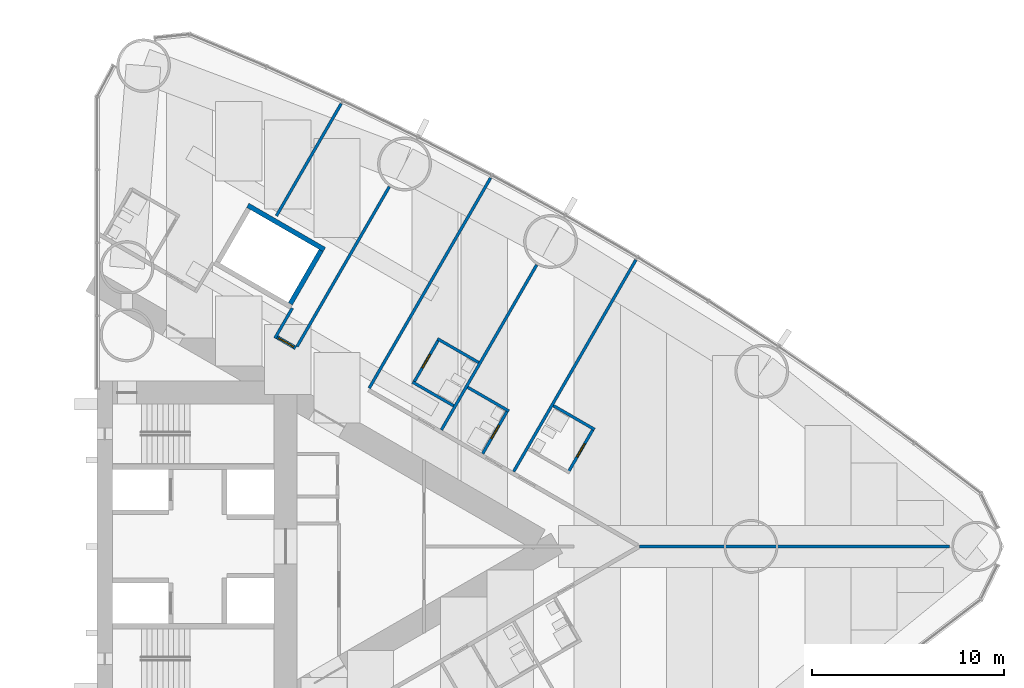
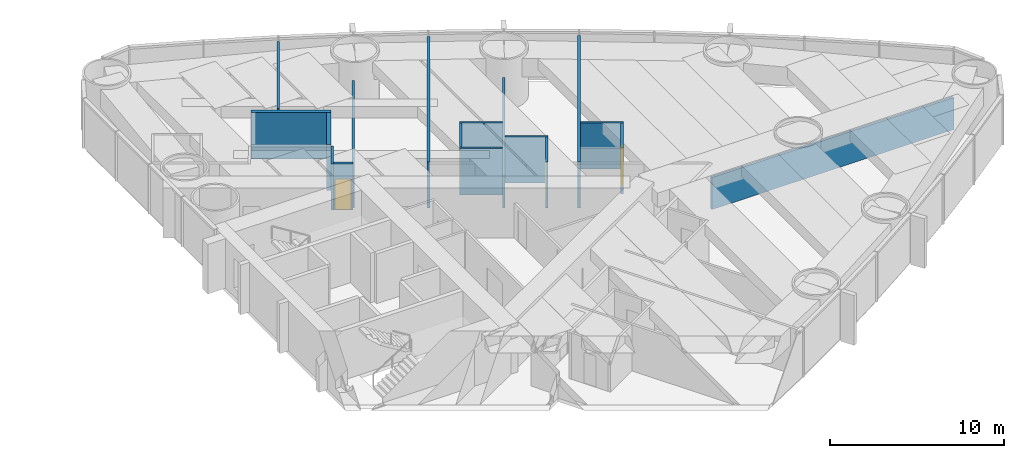
# One storey, part 16 of 19: 17 walls, 4 doors, 4 openings.
"""IFC4 building model written with IfcOpenShell, lengths in metres."""

from ifc_helpers import new_model, si_unit, direction, frame, frame_2d, origin, place, context, subcontext, project, spatial, rectangle, extrude, material, layer, layer_set, type_object, element, fill, save


model = new_model("IFC4")

# Units and contexts
model_context = context("Model", 3, precision=1e-05, world=origin(), true_north=direction((0.0, 1.0)))
body_context = subcontext(model_context, "Body", "Model", "MODEL_VIEW")
ifc_project = project(units=[si_unit("LENGTHUNIT", "METRE"), si_unit("AREAUNIT", "SQUARE_METRE"), si_unit("VOLUMEUNIT", "CUBIC_METRE"), si_unit("PLANEANGLEUNIT", "RADIAN"), si_unit("MASSUNIT", "GRAM", prefix="KILO")], contexts=[model_context])

# Site, building, storey
site_placement = place(None, origin())
site = spatial("IfcSite", under=ifc_project, at=site_placement, CompositionType="ELEMENT")
building_placement = place(site_placement, origin())
building = spatial("IfcBuilding", under=site, at=building_placement, Name="Lancet Gate Hotel", CompositionType="ELEMENT")
storey_placement = place(building_placement, frame((0.0, 0.0, 35.5)))
storey = spatial("IfcBuildingStorey", under=building, at=storey_placement, Name="L08", CompositionType="ELEMENT", Elevation=35.5)

# Wall
ifc_material_1 = material(Name="Moisture resistant board partition")
ifc_layer_1 = layer(ifc_material_1, 0.14990234375)
ifc_layer_set_1 = layer_set([ifc_layer_1], Name="Bathroom wall 150")
wall_type_1 = type_object("IfcWallType", Name="Bathroom wall 150", PredefinedType="PARTITIONING", material=ifc_layer_set_1)
wall_1_placement = place(storey_placement, frame((51.224365234375, 7.319580078125, 0.0), z_axis=(0.0, 0.0, 1.0), x_axis=(0.866031185235, -0.4999899861, 0.0)))
element("IfcWall", 1, at=wall_1_placement, inside=storey, type_object=wall_type_1, Name="T2 bathroom wall 150 L08", PredefinedType="PARTITIONING", context=body_context, shape_type="SweptSolid", body=[
    extrude(rectangle(XDim=2.47509765625, YDim=0.14990234375, at=frame_2d((1.237548828125, 0.0))), origin(), (0.0, 0.0, 1.0), 3.25),
])

# Wall, opening, door
wall_2_placement = place(storey_placement, frame((52.0029296875, 3.867919921875, 0.0), z_axis=(0.0, 0.0, 1.0), x_axis=(0.500047596559, 0.865997922154, 0.0)))
wall_2 = element("IfcWall", 2, at=wall_2_placement, inside=storey, type_object=wall_type_1, Name="T2 bathroom wall 150 L08", PredefinedType="PARTITIONING", context=body_context, shape_type="SweptSolid", body=[
    extrude(rectangle(XDim=2.599853515625, YDim=0.14990234375, at=frame_2d((1.2998046875, 0.0))), origin(), (0.0, 0.0, 1.0), 3.25),
])
opening_1_placement = place(wall_2_placement, frame((0.89990234375, 0.0, 0.0)))
opening_1 = element("IfcOpeningElement", 3, at=opening_1_placement, cuts=wall_2, Name="Opening 0858-B", PredefinedType="OPENING", context=body_context, shape_type="SweptSolid", body=[
    extrude(rectangle(XDim=0.800048828125, YDim=2.199951171875, at=frame_2d((0.39990234375, 1.10009765625))), frame((0.0, 0.0849609375, 0.0), z_axis=(0.0, -1.0, 0.0), x_axis=(1.0, 0.0, 0.0)), (0.0, 0.0, 1.0), 0.169921875),
])
ifc_material_2 = material(Name="Timber door set", Category="wood")
door_type_1 = type_object("IfcDoorType", Name="Bathroom door 800", OperationType="SINGLE_SWING_RIGHT", PredefinedType="DOOR", material=ifc_material_2)
door_1_placement = place(opening_1_placement, origin())
door_1 = element("IfcDoor", 4, at=door_1_placement, inside=storey, type_object=door_type_1, Name="0858-B", OperationType="SINGLE_SWING_RIGHT", OverallHeight=2.199951171875, OverallWidth=0.800048828125, PredefinedType="DOOR", context=body_context, shape_type="SweptSolid", body=[
    extrude(rectangle(XDim=0.800048828125, YDim=2.199951171875, at=frame_2d((0.39990234375, 1.10009765625))), frame((0.0, 0.02490234375, 0.0), z_axis=(0.0, -1.0, 0.0), x_axis=(1.0, 0.0, 0.0)), (0.0, 0.0, 1.0), 0.050048828125),
])
fill(opening_1, door_1)

# Wall
wall_3_placement = place(storey_placement, frame((46.767822265625, 8.27587890625, 0.0), z_axis=(0.0, 0.0, 1.0), x_axis=(0.866031185235, -0.4999899861, 0.0)))
element("IfcWall", 5, at=wall_3_placement, inside=storey, type_object=wall_type_1, Name="T2 bathroom wall 150 L08", PredefinedType="PARTITIONING", context=body_context, shape_type="SweptSolid", body=[
    extrude(rectangle(XDim=2.47509765625, YDim=0.14990234375, at=frame_2d((1.237548828125, 0.0))), origin(), (0.0, 0.0, 1.0), 3.25),
])

# Wall, opening, door
wall_4_placement = place(storey_placement, frame((47.54638671875, 4.82421875, 0.0), z_axis=(0.0, 0.0, 1.0), x_axis=(0.500006934395, 0.866021400173, 0.0)))
wall_4 = element("IfcWall", 6, at=wall_4_placement, inside=storey, type_object=wall_type_1, Name="T2 bathroom wall 150 L08", PredefinedType="PARTITIONING", context=body_context, shape_type="SweptSolid", body=[
    extrude(rectangle(XDim=2.60009765625, YDim=0.14990234375, at=frame_2d((1.300048828125, 0.0))), origin(), (0.0, 0.0, 1.0), 3.25),
])
opening_2_placement = place(wall_4_placement, frame((0.89990234375, 0.0, 0.0)))
opening_2 = element("IfcOpeningElement", 7, at=opening_2_placement, cuts=wall_4, Name="Opening 0860-B", PredefinedType="OPENING", context=body_context, shape_type="SweptSolid", body=[
    extrude(rectangle(XDim=0.800048828125, YDim=2.199951171875, at=frame_2d((0.39990234375, 1.10009765625))), frame((0.0, 0.0849609375, 0.0), z_axis=(0.0, -1.0, 0.0), x_axis=(1.0, 0.0, 0.0)), (0.0, 0.0, 1.0), 0.169921875),
])
door_2_placement = place(opening_2_placement, origin())
door_2 = element("IfcDoor", 8, at=door_2_placement, inside=storey, type_object=door_type_1, Name="0860-B", OperationType="SINGLE_SWING_RIGHT", OverallHeight=2.199951171875, OverallWidth=0.800048828125, PredefinedType="DOOR", context=body_context, shape_type="SweptSolid", body=[
    extrude(rectangle(XDim=0.800048828125, YDim=2.199951171875, at=frame_2d((0.39990234375, 1.10009765625))), frame((0.0, 0.02490234375, 0.0), z_axis=(0.0, -1.0, 0.0), x_axis=(1.0, 0.0, 0.0)), (0.0, 0.0, 1.0), 0.050048828125),
])
fill(opening_2, door_2)

# Wall
wall_5_placement = place(storey_placement, frame((45.194580078125, 10.80078125, 0.0), z_axis=(0.0, 0.0, 1.0), x_axis=(0.86604923931, -0.499958713387, 0.0)))
element("IfcWall", 9, at=wall_5_placement, inside=storey, type_object=wall_type_1, Name="T2 bathroom wall 150 L08", PredefinedType="PARTITIONING", context=body_context, shape_type="SweptSolid", body=[
    extrude(rectangle(XDim=2.474853515625, YDim=0.14990234375, at=frame_2d((1.2373046875, 0.0))), origin(), (0.0, 0.0, 1.0), 3.25),
])

# Wall, opening, door
wall_6_placement = place(storey_placement, frame((43.95947265625, 8.51171875, 0.0), z_axis=(0.0, 0.0, 1.0), x_axis=(0.500006934395, 0.866021400173, 0.0)))
wall_6 = element("IfcWall", 10, at=wall_6_placement, inside=storey, type_object=wall_type_1, Name="T2 bathroom wall 150 L08", PredefinedType="PARTITIONING", context=body_context, shape_type="SweptSolid", body=[
    extrude(rectangle(XDim=2.60009765625, YDim=0.14990234375, at=frame_2d((1.300048828125, 0.0))), origin(), (0.0, 0.0, 1.0), 3.25),
])
opening_3_placement = place(wall_6_placement, frame((0.89990234375, 0.0, 0.0)))
opening_3 = element("IfcOpeningElement", 11, at=opening_3_placement, cuts=wall_6, Name="Opening 0861-B", PredefinedType="OPENING", context=body_context, shape_type="SweptSolid", body=[
    extrude(rectangle(XDim=0.800048828125, YDim=2.199951171875, at=frame_2d((0.39990234375, 1.10009765625))), frame((0.0, 0.0849609375, 0.0), z_axis=(0.0, -1.0, 0.0), x_axis=(1.0, 0.0, 0.0)), (0.0, 0.0, 1.0), 0.169921875),
])
door_3_placement = place(opening_3_placement, origin())
door_3 = element("IfcDoor", 12, at=door_3_placement, inside=storey, type_object=door_type_1, Name="0861-B", OperationType="SINGLE_SWING_RIGHT", OverallHeight=2.199951171875, OverallWidth=0.800048828125, PredefinedType="DOOR", context=body_context, shape_type="SweptSolid", body=[
    extrude(rectangle(XDim=0.800048828125, YDim=2.199951171875, at=frame_2d((0.39990234375, 1.10009765625))), frame((0.0, 0.02490234375, 0.0), z_axis=(0.0, -1.0, 0.0), x_axis=(1.0, 0.0, 0.0)), (0.0, 0.0, 1.0), 0.050048828125),
])
fill(opening_3, door_3)

# Wall
wall_7_placement = place(storey_placement, frame((43.89453125, 8.54931640625, 0.0), z_axis=(0.0, 0.0, 1.0), x_axis=(0.866031185235, -0.4999899861, 0.0)))
element("IfcWall", 13, at=wall_7_placement, inside=storey, type_object=wall_type_1, Name="T2 bathroom wall 150 L08", PredefinedType="PARTITIONING", context=body_context, shape_type="SweptSolid", body=[
    extrude(rectangle(XDim=2.47509765625, YDim=0.14990234375, at=frame_2d((1.237548828125, 0.0))), origin(), (0.0, 0.0, 1.0), 3.25),
])

# Wall, opening, door
ifc_material_3 = material(Name="Gypsum board partition")
ifc_layer_2 = layer(ifc_material_3, 0.199951171875)
ifc_layer_set_2 = layer_set([ifc_layer_2], Name="Corridor wall 200")
wall_type_2 = type_object("IfcWallType", Name="Corridor wall 200", PredefinedType="PARTITIONING", material=ifc_layer_set_2)
wall_8_placement = place(storey_placement, frame((36.833984375, 10.8935546875, 0.0), z_axis=(0.0, 0.0, 1.0), x_axis=(0.866025463095, -0.499999897272, 0.0)))
wall_8 = element("IfcWall", 14, at=wall_8_placement, inside=storey, type_object=wall_type_2, Name="T2 corridor wall 200 L08", PredefinedType="PARTITIONING", context=body_context, shape_type="SweptSolid", body=[
    extrude(rectangle(XDim=1.142578125, YDim=0.199951171875, at=frame_2d((0.5712890625, 0.0))), origin(), (0.0, 0.0, 1.0), 3.25),
])
opening_4_placement = place(wall_8_placement, frame((0.121337890625, 0.0, 0.0)))
opening_4 = element("IfcOpeningElement", 15, at=opening_4_placement, cuts=wall_8, Name="Opening T2-L08-LO2", PredefinedType="OPENING", context=body_context, shape_type="SweptSolid", body=[
    extrude(rectangle(XDim=0.89990234375, YDim=2.199951171875, at=frame_2d((0.449951171875, 1.10009765625))), frame((0.0, 0.10986328125, 0.0), z_axis=(0.0, -1.0, 0.0), x_axis=(1.0, 0.0, 0.0)), (0.0, 0.0, 1.0), 0.219970703125),
])
ifc_material_4 = material(Name="Timber door set", Category="wood")
door_type_2 = type_object("IfcDoorType", Name="Guest room entry door 950", OperationType="SINGLE_SWING_LEFT", PredefinedType="DOOR", material=ifc_material_4)
door_4_placement = place(opening_4_placement, origin())
door_4 = element("IfcDoor", 16, at=door_4_placement, inside=storey, type_object=door_type_2, Name="T2-L08-LO2", OperationType="SINGLE_SWING_LEFT", OverallHeight=2.199951171875, OverallWidth=0.89990234375, PredefinedType="DOOR", context=body_context, shape_type="SweptSolid", body=[
    extrude(rectangle(XDim=0.89990234375, YDim=2.199951171875, at=frame_2d((0.449951171875, 1.10009765625))), frame((0.0, 0.02490234375, 0.0), z_axis=(0.0, -1.0, 0.0), x_axis=(1.0, 0.0, 0.0)), (0.0, 0.0, 1.0), 0.050048828125),
])
fill(opening_4, door_4)

# Walls
ifc_material_5 = material(Name="Gypsum board partition")
ifc_layer_3 = layer(ifc_material_5, 0.25)
ifc_layer_set_3 = layer_set([ifc_layer_3], Name="Lift shaft partition 250")
wall_type_3 = type_object("IfcWallType", Name="Lift shaft partition 250", PredefinedType="PARTITIONING", material=ifc_layer_set_3)
wall_9_placement = place(storey_placement, frame((35.33349609375, 17.73583984375, 0.0), z_axis=(0.0, 0.0, 1.0), x_axis=(0.866043305498, -0.49996899204, 0.0)))
element("IfcWall", 17, at=wall_9_placement, inside=storey, type_object=wall_type_3, Name="T2 lift shaft wall EX L08", PredefinedType="PARTITIONING", context=body_context, shape_type="SweptSolid", body=[
    extrude(rectangle(XDim=4.600341796875, YDim=0.25, at=frame_2d((2.30029296875, 0.0))), origin(), (0.0, 0.0, 1.0), 3.25),
])
wall_10_placement = place(storey_placement, frame((37.546630859375, 12.617919921875, 0.0), z_axis=(0.0, 0.0, 1.0), x_axis=(0.499929347863, 0.866066190972, 0.0)))
element("IfcWall", 18, at=wall_10_placement, inside=storey, type_object=wall_type_3, Name="T2 lift shaft wall EX L08", PredefinedType="PARTITIONING", context=body_context, shape_type="SweptSolid", body=[
    extrude(rectangle(XDim=3.20068359375, YDim=0.25, at=frame_2d((1.600341796875, 0.0))), origin(), (0.0, 0.0, 1.0), 3.25),
])
ifc_material_6 = material(Name="Gypsum board partition")
ifc_layer_4 = layer(ifc_material_6, 0.14990234375)
ifc_layer_set_4 = layer_set([ifc_layer_4], Name="Party wall 150")
wall_type_4 = type_object("IfcWallType", Name="Party wall 150", PredefinedType="PARTITIONING", material=ifc_layer_set_4)
wall_11_placement = place(storey_placement, frame((37.895263671875, 10.396484375, 0.0), z_axis=(0.0, 0.0, 1.0), x_axis=(0.499995616528, 0.866027934568, 0.0)))
element("IfcWall", 19, at=wall_11_placement, inside=storey, type_object=wall_type_4, Name="T2 party wall 150 L08", PredefinedType="PARTITIONING", context=body_context, shape_type="SweptSolid", body=[
    extrude(rectangle(XDim=9.59326171875, YDim=0.14990234375, at=frame_2d((4.796630859375, 0.0))), origin(), (0.0, 0.0, 1.0), 2.25),
])
wall_12_placement = place(storey_placement, frame((41.6474609375, 8.22998046875, 0.0), z_axis=(0.0, 0.0, 1.0), x_axis=(0.49998590462, 0.866033541603, 0.0)))
element("IfcWall", 20, at=wall_12_placement, inside=storey, type_object=wall_type_4, Name="T2 party wall 150 L08", PredefinedType="PARTITIONING", context=body_context, shape_type="SweptSolid", body=[
    extrude(rectangle(XDim=12.620849609375, YDim=0.14990234375, at=frame_2d((6.310546875, 0.0))), origin(), (0.0, 0.0, 1.0), 3.25),
])
wall_13_placement = place(storey_placement, frame((45.40283203125, 6.061767578125, 0.0), z_axis=(0.0, 0.0, 1.0), x_axis=(0.500013434677, 0.866017647131, 0.0)))
element("IfcWall", 21, at=wall_13_placement, inside=storey, type_object=wall_type_4, Name="T2 party wall 150 L08", PredefinedType="PARTITIONING", context=body_context, shape_type="SweptSolid", body=[
    extrude(rectangle(XDim=9.901611328125, YDim=0.14990234375, at=frame_2d((4.95068359375, 0.0))), origin(), (0.0, 0.0, 1.0), 2.25),
])
wall_14_placement = place(storey_placement, frame((49.159423828125, 3.892822265625, 0.0), z_axis=(0.0, 0.0, 1.0), x_axis=(0.499995664361, 0.866027906952, 0.0)))
element("IfcWall", 22, at=wall_14_placement, inside=storey, type_object=wall_type_4, Name="T2 party wall 150 L08", PredefinedType="PARTITIONING", context=body_context, shape_type="SweptSolid", body=[
    extrude(rectangle(XDim=12.71142578125, YDim=0.14990234375, at=frame_2d((6.355712890625, 0.0))), origin(), (0.0, 0.0, 1.0), 3.25),
])
wall_15_placement = place(storey_placement, frame((55.7021484375, 0.0, 0.0), z_axis=(0.0, 0.0, 1.0), x_axis=(1.0, 0.0, 0.0)))
element("IfcWall", 23, at=wall_15_placement, inside=storey, type_object=wall_type_4, Name="T2 party wall 150 L08", PredefinedType="PARTITIONING", context=body_context, shape_type="SweptSolid", body=[
    extrude(rectangle(XDim=16.116943359375, YDim=0.14990234375, at=frame_2d((8.05859375, 0.0))), origin(), (0.0, 0.0, 1.0), 2.25),
])
wall_16_placement = place(storey_placement, frame((36.823974609375, 17.19287109375, 0.0), z_axis=(0.0, 0.0, 1.0), x_axis=(0.500027691974, 0.866009415226, 0.0)))
element("IfcWall", 24, at=wall_16_placement, inside=storey, type_object=wall_type_4, Name="T2 party wall 150 L08", PredefinedType="PARTITIONING", context=body_context, shape_type="SweptSolid", body=[
    extrude(rectangle(XDim=6.73876953125, YDim=0.14990234375, at=frame_2d((3.369384765625, 0.0))), origin(), (0.0, 0.0, 1.0), 3.25),
])
ifc_material_7 = material(Name="Gypsum board partition")
ifc_layer_5 = layer(ifc_material_7, 0.14990234375)
ifc_layer_set_5 = layer_set([ifc_layer_5], Name="Service room wall 150")
wall_type_5 = type_object("IfcWallType", Name="Service room wall 150", PredefinedType="PARTITIONING", material=ifc_layer_set_5)
wall_17_placement = place(storey_placement, frame((36.7451171875, 10.829345703125, 0.0), z_axis=(0.0, 0.0, 1.0), x_axis=(0.499921502396, 0.866070719654, 0.0)))
element("IfcWall", 25, at=wall_17_placement, inside=storey, type_object=wall_type_5, Name="T2 service room wall 150 L08", PredefinedType="PARTITIONING", context=body_context, shape_type="SweptSolid", body=[
    extrude(rectangle(XDim=1.804931640625, YDim=0.14990234375, at=frame_2d((0.90234375, 0.0))), origin(), (0.0, 0.0, 1.0), 3.25),
])

save(model, "model.ifc")
